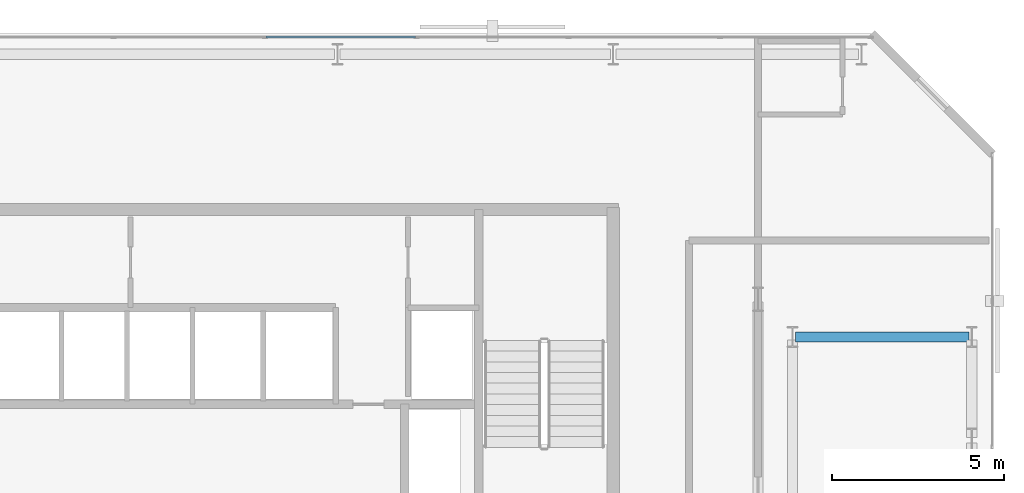
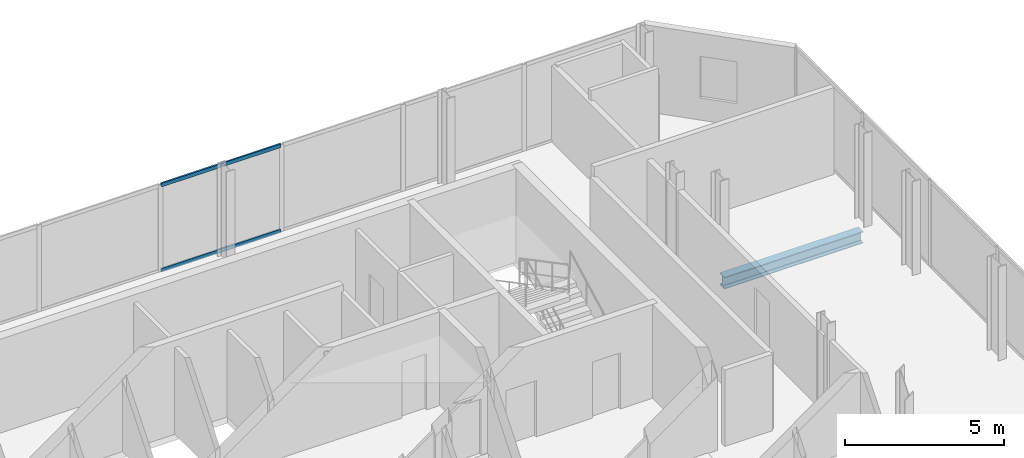
# One storey, part 23 of 32: 2 members, 1 beam, 1 element without a shape of its own.
"""IFC4 building model written with IfcOpenShell, lengths in metres."""

from ifc_helpers import new_model, si_unit, direction, frame, origin, origin_2d, place, context, subcontext, project, spatial, hollow_rectangle, i_section, extrude, material, layer, layer_set, material_profile, profile_set, type_object, element, aggregate, save


model = new_model("IFC4")

# Units and contexts
model_context = context("Model", 3, precision=1e-05, world=origin(), true_north=direction((0.0, 1.0)))
body_context = subcontext(model_context, "Body", "Model", "MODEL_VIEW")
ifc_project = project(units=[si_unit("LENGTHUNIT", "METRE"), si_unit("AREAUNIT", "SQUARE_METRE"), si_unit("VOLUMEUNIT", "CUBIC_METRE"), si_unit("PLANEANGLEUNIT", "RADIAN"), si_unit("MASSUNIT", "GRAM", prefix="KILO")], contexts=[model_context])

# Site, building, storey
site_placement = place(None, origin())
site = spatial("IfcSite", under=ifc_project, at=site_placement, CompositionType="ELEMENT")
building_placement = place(site_placement, origin())
building = spatial("IfcBuilding", under=site, at=building_placement, Name="Catumbela Crestline Tower", CompositionType="ELEMENT")
storey_placement = place(building_placement, frame((0.0, 0.0, 133.2)))
storey = spatial("IfcBuildingStorey", under=building, at=storey_placement, Name="L34", CompositionType="ELEMENT", Elevation=133.2)

# Beam
ifc_material_1 = material(Name="Structural steel S355J2", Category="steel")
ifc_material_profile_1 = material_profile(ifc_material_1, i_section(OverallWidth=0.3, OverallDepth=0.45, WebThickness=0.014, FlangeThickness=0.026, FilletRadius=0.027, at=origin_2d()), Name="HEB 450")
ifc_profile_set_1 = profile_set([ifc_material_profile_1], Name="Structural steel S355J2")
beam_type = type_object("IfcBeamType", Name="BG-HEB450", PredefinedType="BEAM", material=ifc_profile_set_1)
beam_placement = place(storey_placement, frame((45.28, 39.2, -0.485), z_axis=(1.0, 0.0, 0.0), x_axis=(0.0, 1.0, 0.0)))
element("IfcBeam", 1, at=beam_placement, inside=storey, type_object=beam_type, Name="L34 Beam BM-L34-N16", PredefinedType="BEAM", context=body_context, shape_type="SweptSolid", body=[
    extrude(i_section(OverallWidth=0.3, OverallDepth=0.45, WebThickness=0.014, FlangeThickness=0.026, FilletRadius=0.027, at=origin_2d()), origin(), (0.0, 0.0, 1.0), 5.04),
])

# Curtain wall, members
ifc_material_2 = material(Name="Aluminium alloy AW-6060-T66", Category="aluminium")
ifc_layer = layer(ifc_material_2, 0.18, Name="Aluminium alloy AW-6060-T66")
ifc_layer_set = layer_set([ifc_layer], Name="Aluminium alloy AW-6060-T66")
curtain_wall_type = type_object("IfcCurtainWallType", Name="CWU-Z2", PredefinedType="USERDEFINED", material=ifc_layer_set)
curtain_wall_placement = place(storey_placement, origin())
curtain_wall = element("IfcCurtainWall", 2, at=curtain_wall_placement, inside=storey, type_object=curtain_wall_type, Name="L34 Unitised Curtain Wall CW-L34-E7S1", ObjectType="UNITISED", PredefinedType="USERDEFINED")
ifc_material_profile_2 = material_profile(ifc_material_2, hollow_rectangle(XDim=0.06, YDim=0.14, WallThickness=0.004, at=origin_2d()), Name="ALU 140x60x4")
ifc_profile_set_2 = profile_set([ifc_material_profile_2], Name="Aluminium alloy AW-6060-T66")
member_type = type_object("IfcMemberType", Name="TRN-140X60", PredefinedType="USERDEFINED", material=ifc_profile_set_2)
member_1_placement = place(storey_placement, frame((34.2675, 47.9, 0.03), z_axis=(-1.0, 0.0, 0.0), x_axis=(0.0, -1.0, 0.0)))
member_1 = element("IfcMember", 3, at=member_1_placement, type_object=member_type, Name="CWU-Z2 transom 4.1", ObjectType="TRANSOM", PredefinedType="USERDEFINED", context=body_context, shape_type="SweptSolid", body=[
    extrude(hollow_rectangle(XDim=0.06, YDim=0.14, WallThickness=0.004, at=origin_2d()), origin(), (0.0, 0.0, 1.0), 4.335),
])
member_2_placement = place(storey_placement, frame((34.2675, 47.9, 3.3), z_axis=(-1.0, 0.0, 0.0), x_axis=(0.0, -1.0, 0.0)))
member_2 = element("IfcMember", 4, at=member_2_placement, type_object=member_type, Name="CWU-Z2 transom 4.2", ObjectType="TRANSOM", PredefinedType="USERDEFINED", context=body_context, shape_type="SweptSolid", body=[
    extrude(hollow_rectangle(XDim=0.06, YDim=0.14, WallThickness=0.004, at=origin_2d()), origin(), (0.0, 0.0, 1.0), 4.335),
])
aggregate(curtain_wall, [member_1, member_2])

save(model, "model.ifc")
